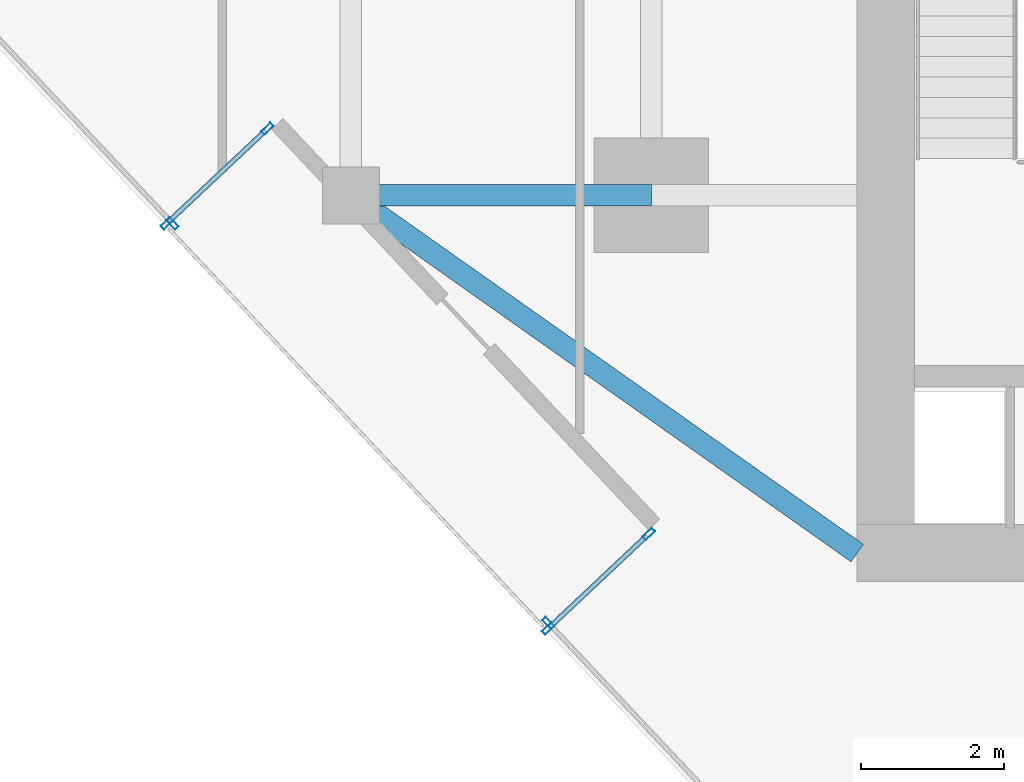
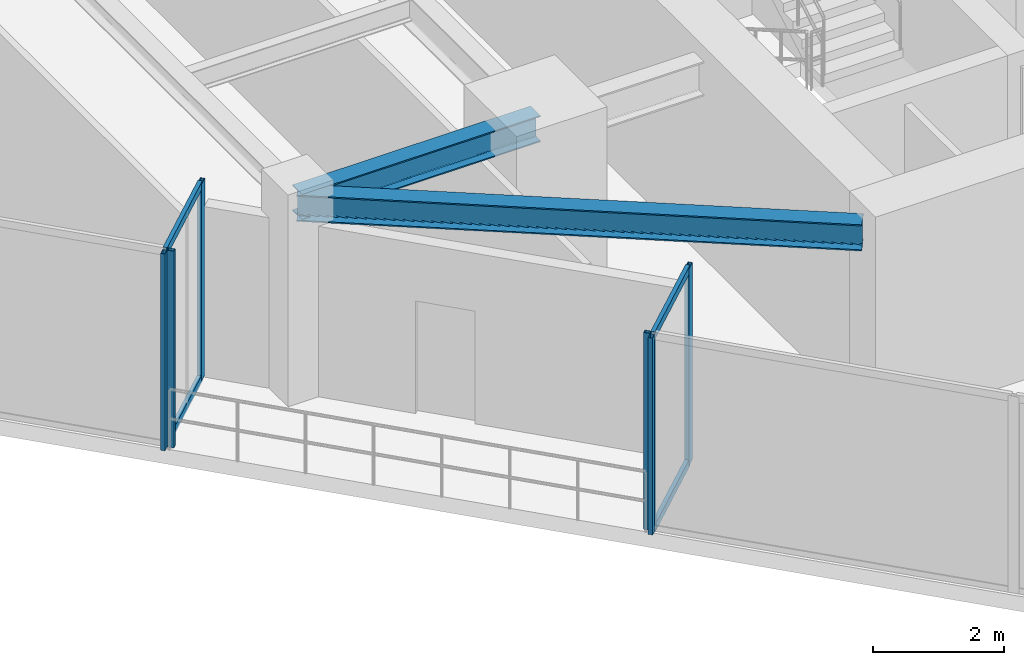
# One storey, part 2 of 24: 10 members, 2 beams, 4 elements without a shape of their own.
"""IFC4 building model written with IfcOpenShell, lengths in metres."""

from ifc_helpers import new_model, si_unit, direction, frame, origin, origin_2d, place, context, subcontext, project, spatial, hollow_rectangle, i_section, extrude, source, transform, mapped, material, material_profile, profile_set, type_object, type_shapes, element, aggregate, save


model = new_model("IFC4")

# Units and contexts
model_context = context("Model", 3, precision=1e-05, world=origin(), true_north=direction((0.0, 1.0)))
body_context = subcontext(model_context, "Body", "Model", "MODEL_VIEW")
ifc_project = project(units=[si_unit("LENGTHUNIT", "METRE"), si_unit("AREAUNIT", "SQUARE_METRE"), si_unit("VOLUMEUNIT", "CUBIC_METRE"), si_unit("PLANEANGLEUNIT", "RADIAN"), si_unit("MASSUNIT", "GRAM", prefix="KILO")], contexts=[model_context])

# Site, building, storey
site_placement = place(None, origin())
site = spatial("IfcSite", under=ifc_project, at=site_placement, CompositionType="ELEMENT")
building_placement = place(site_placement, origin())
building = spatial("IfcBuilding", under=site, at=building_placement, Name="Krantzveldt Concourse Tower", CompositionType="ELEMENT")
storey_placement = place(building_placement, frame((0.0, 0.0, 246.800048828125)))
storey = spatial("IfcBuildingStorey", under=building, at=storey_placement, Name="L60", CompositionType="ELEMENT", Elevation=246.800048828125)

# Beams
ifc_material_1 = material(Name="Steel S355JR", Category="steel")
ifc_material_profile_1 = material_profile(ifc_material_1, i_section(OverallWidth=0.300048828125, OverallDepth=0.489990234375, WebThickness=0.011962890625, FlangeThickness=0.02294921875, FilletRadius=0.027099609375, at=origin_2d()), Name="Steel S355JR", Category="steel")
ifc_profile_set_1 = profile_set([ifc_material_profile_1], Name="Steel S355JR - HEA 500")
beam_type = type_object("IfcBeamType", Name="BM-B-HEA500", PredefinedType="BEAM", material=ifc_profile_set_1)
shared_shape_1 = source(origin(), body_context, "Body", "SweptSolid", [
    extrude(i_section(OverallWidth=0.300048828125, OverallDepth=0.489990234375, WebThickness=0.011962890625, FlangeThickness=0.02294921875, FilletRadius=0.027099609375, at=origin_2d()), origin(), (0.0, 0.0, 1.0), 4.199951171875),
])
beam_1_placement = place(storey_placement, frame((21.0, 15.89990234375, 3.425048828125), z_axis=(1.0, 0.0, 0.0), x_axis=(0.0, 1.0, 0.0)))
element("IfcBeam", 1, at=beam_1_placement, inside=storey, type_object=beam_type, Name="L60 Tower Girder BR-RL1", PredefinedType="BEAM", context=body_context, shape_type="MappedRepresentation", body=[
    mapped(shared_shape_1, transform((0.0, 0.0, 0.0), x_axis=(1.0, 0.0, 0.0), y_axis=(0.0, 1.0, 0.0), z_axis=(0.0, 0.0, 1.0), scale=1.0)),
])
shared_shape_2 = source(origin(), body_context, "Body", "SweptSolid", [
    extrude(i_section(OverallWidth=0.300048828125, OverallDepth=0.489990234375, WebThickness=0.011962890625, FlangeThickness=0.02294921875, FilletRadius=0.027099609375, at=origin_2d()), origin(), (0.0, 0.0, 1.0), 8.667724609375),
])
type_shapes(beam_type, [shared_shape_1, shared_shape_2])
beam_2_placement = place(storey_placement, frame((21.0, 15.89990234375, 3.425048828125), z_axis=(0.81684294656, -0.576860122261, 0.0), x_axis=(0.576860122261, 0.81684294656, 0.0)))
element("IfcBeam", 2, at=beam_2_placement, inside=storey, type_object=beam_type, Name="L60 Tower Girder BR-CSW", PredefinedType="BEAM", context=body_context, shape_type="MappedRepresentation", body=[
    mapped(shared_shape_2, transform((0.0, 0.0, 0.0), x_axis=(1.0, 0.0, 0.0), y_axis=(0.0, 1.0, 0.0), z_axis=(0.0, 0.0, 1.0), scale=1.0)),
])

# Curtain wall, member
ifc_material_2 = material(Name="Anodised aluminium 6063-T6", Category="aluminium")
curtain_wall_type_1 = type_object("IfcCurtainWallType", Name="CW3", PredefinedType="USERDEFINED", material=ifc_material_2)
curtain_wall_1_placement = place(storey_placement, origin())
curtain_wall_1 = element("IfcCurtainWall", 3, at=curtain_wall_1_placement, inside=storey, type_object=curtain_wall_type_1, Name="CW-L60-F04", ObjectType="UNITISED CURTAIN WALL", PredefinedType="USERDEFINED")
ifc_material_profile_2 = material_profile(ifc_material_2, hollow_rectangle(XDim=0.070068359375, YDim=0.179931640625, WallThickness=0.0048828125, at=origin_2d()), Name="Anodised aluminium 6063-T6", Category="aluminium")
ifc_profile_set_2 = profile_set([ifc_material_profile_2], Name="Anodised aluminium 6063-T6 - ALU-MULL 180x70x5")
member_type_1 = type_object("IfcMemberType", Name="CW-MUL-180", PredefinedType="MULLION", material=ifc_profile_set_2)
shared_shape_3 = source(origin(), body_context, "Body", "SweptSolid", [
    extrude(hollow_rectangle(XDim=0.070068359375, YDim=0.179931640625, WallThickness=0.0048828125, at=origin_2d()), origin(), (0.0, 0.0, 1.0), 3.669921875),
])
type_shapes(member_type_1, [shared_shape_3])
member_1_placement = place(storey_placement, frame((18.50634765625, 15.5087890625, 0.0), z_axis=(0.0, 0.0, 1.0), x_axis=(0.728370998021, 0.685182960414, 0.0)))
member_1 = element("IfcMember", 4, at=member_1_placement, type_object=member_type_1, Name="CW-Z34 mullion 3", PredefinedType="MULLION", context=body_context, shape_type="MappedRepresentation", body=[
    mapped(shared_shape_3, transform((0.0, 0.0, 0.0), x_axis=(1.0, 0.0, 0.0), y_axis=(0.0, 1.0, 0.0), z_axis=(0.0, 0.0, 1.0), scale=1.0)),
])
aggregate(curtain_wall_1, [member_1])

# Curtain wall, members
curtain_wall_type_2 = type_object("IfcCurtainWallType", Name="CW6", PredefinedType="USERDEFINED", material=ifc_material_2)
curtain_wall_2_placement = place(storey_placement, origin())
curtain_wall_2 = element("IfcCurtainWall", 5, at=curtain_wall_2_placement, inside=storey, type_object=curtain_wall_type_2, Name="CW-L60-TR05", ObjectType="UNITISED CURTAIN WALL", PredefinedType="USERDEFINED")
member_2_placement = place(storey_placement, frame((18.428466796875, 15.510986328125, 0.0), z_axis=(0.0, 0.0, 1.0), x_axis=(-0.685181887913, 0.728372006928, 0.0)))
member_2 = element("IfcMember", 6, at=member_2_placement, type_object=member_type_1, Name="CW-TERR mullion 1", PredefinedType="MULLION", context=body_context, shape_type="MappedRepresentation", body=[
    mapped(shared_shape_3, transform((0.0, 0.0, 0.0), x_axis=(1.0, 0.0, 0.0), y_axis=(0.0, 1.0, 0.0), z_axis=(0.0, 0.0, 1.0), scale=1.0)),
])
member_3_placement = place(storey_placement, frame((19.834228515625, 16.83349609375, 0.0), z_axis=(0.0, 0.0, 1.0), x_axis=(-0.685181887913, 0.728372006928, 0.0)))
member_3 = element("IfcMember", 7, at=member_3_placement, type_object=member_type_1, Name="CW-TERR mullion 2", PredefinedType="MULLION", context=body_context, shape_type="MappedRepresentation", body=[
    mapped(shared_shape_3, transform((0.0, 0.0, 0.0), x_axis=(1.0, 0.0, 0.0), y_axis=(0.0, 1.0, 0.0), z_axis=(0.0, 0.0, 1.0), scale=1.0)),
])

curtain_wall_3_placement = place(storey_placement, origin())
curtain_wall_3 = element("IfcCurtainWall", 8, at=curtain_wall_3_placement, inside=storey, type_object=curtain_wall_type_2, Name="CW-L60-TR07", ObjectType="UNITISED CURTAIN WALL", PredefinedType="USERDEFINED")
member_4_placement = place(storey_placement, frame((25.1650390625, 11.166748046875, 0.0), z_axis=(0.0, 0.0, 1.0), x_axis=(0.685181887913, -0.728372006928, 0.0)))
member_4 = element("IfcMember", 9, at=member_4_placement, type_object=member_type_1, Name="CW-TERR mullion 1", PredefinedType="MULLION", context=body_context, shape_type="MappedRepresentation", body=[
    mapped(shared_shape_3, transform((0.0, 0.0, 0.0), x_axis=(1.0, 0.0, 0.0), y_axis=(0.0, 1.0, 0.0), z_axis=(0.0, 0.0, 1.0), scale=1.0)),
])
member_5_placement = place(storey_placement, frame((23.75927734375, 9.844482421875, 0.0), z_axis=(0.0, 0.0, 1.0), x_axis=(0.685181887913, -0.728372006928, 0.0)))
member_5 = element("IfcMember", 10, at=member_5_placement, type_object=member_type_1, Name="CW-TERR mullion 2", PredefinedType="MULLION", context=body_context, shape_type="MappedRepresentation", body=[
    mapped(shared_shape_3, transform((0.0, 0.0, 0.0), x_axis=(1.0, 0.0, 0.0), y_axis=(0.0, 1.0, 0.0), z_axis=(0.0, 0.0, 1.0), scale=1.0)),
])

# Curtain wall, member
curtain_wall_4_placement = place(storey_placement, origin())
curtain_wall_4 = element("IfcCurtainWall", 11, at=curtain_wall_4_placement, inside=storey, type_object=curtain_wall_type_1, Name="CW-L60-F08", ObjectType="UNITISED CURTAIN WALL", PredefinedType="USERDEFINED")
member_6_placement = place(storey_placement, frame((23.76171875, 9.922119140625, 0.0), z_axis=(0.0, 0.0, 1.0), x_axis=(0.728370998021, 0.685182960414, 0.0)))
member_6 = element("IfcMember", 12, at=member_6_placement, type_object=member_type_1, Name="CW-Z34 mullion 1", PredefinedType="MULLION", context=body_context, shape_type="MappedRepresentation", body=[
    mapped(shared_shape_3, transform((0.0, 0.0, 0.0), x_axis=(1.0, 0.0, 0.0), y_axis=(0.0, 1.0, 0.0), z_axis=(0.0, 0.0, 1.0), scale=1.0)),
])
aggregate(curtain_wall_4, [member_6])

# Member
ifc_material_profile_3 = material_profile(ifc_material_2, hollow_rectangle(XDim=0.070068359375, YDim=0.139892578125, WallThickness=0.0048828125, at=origin_2d()), Name="Anodised aluminium 6063-T6", Category="aluminium")
ifc_profile_set_3 = profile_set([ifc_material_profile_3], Name="Anodised aluminium 6063-T6 - ALU-TRAN 140x70x5")
member_type_2 = type_object("IfcMemberType", Name="CW-TRN-150", PredefinedType="USERDEFINED", material=ifc_profile_set_3)
shared_shape_4 = source(origin(), body_context, "Body", "SweptSolid", [
    extrude(hollow_rectangle(XDim=0.070068359375, YDim=0.139892578125, WallThickness=0.0048828125, at=origin_2d()), origin(), (0.0, 0.0, 1.0), 1.85986328125),
])
type_shapes(member_type_2, [shared_shape_4])
member_7_placement = place(storey_placement, frame((18.4541015625, 15.53515625, 0.034912109375), z_axis=(0.728369526423, 0.685184524766, 0.0), x_axis=(-0.685184524766, 0.728369526423, 0.0)))
member_7 = element("IfcMember", 13, at=member_7_placement, type_object=member_type_2, Name="CW-TERR transom 1.1", ObjectType="TRANSOM", PredefinedType="USERDEFINED", context=body_context, shape_type="MappedRepresentation", body=[
    mapped(shared_shape_4, transform((0.0, 0.0, 0.0), x_axis=(1.0, 0.0, 0.0), y_axis=(0.0, 1.0, 0.0), z_axis=(0.0, 0.0, 1.0), scale=1.0)),
])

member_8_placement = place(storey_placement, frame((18.4541015625, 15.53515625, 3.635009765625), z_axis=(0.728369526423, 0.685184524766, 0.0), x_axis=(-0.685184524766, 0.728369526423, 0.0)))
member_8 = element("IfcMember", 14, at=member_8_placement, type_object=member_type_2, Name="CW-TERR transom 1.2", ObjectType="TRANSOM", PredefinedType="USERDEFINED", context=body_context, shape_type="MappedRepresentation", body=[
    mapped(shared_shape_4, transform((0.0, 0.0, 0.0), x_axis=(1.0, 0.0, 0.0), y_axis=(0.0, 1.0, 0.0), z_axis=(0.0, 0.0, 1.0), scale=1.0)),
])

aggregate(curtain_wall_2, [member_2, member_3, member_7, member_8])

member_9_placement = place(storey_placement, frame((25.139404296875, 11.142822265625, 0.034912109375), z_axis=(-0.728369526423, -0.685184524766, 0.0), x_axis=(0.685184524766, -0.728369526423, 0.0)))
member_9 = element("IfcMember", 15, at=member_9_placement, type_object=member_type_2, Name="CW-TERR transom 1.1", ObjectType="TRANSOM", PredefinedType="USERDEFINED", context=body_context, shape_type="MappedRepresentation", body=[
    mapped(shared_shape_4, transform((0.0, 0.0, 0.0), x_axis=(1.0, 0.0, 0.0), y_axis=(0.0, 1.0, 0.0), z_axis=(0.0, 0.0, 1.0), scale=1.0)),
])

member_10_placement = place(storey_placement, frame((25.139404296875, 11.142822265625, 3.635009765625), z_axis=(-0.728369526423, -0.685184524766, 0.0), x_axis=(0.685184524766, -0.728369526423, 0.0)))
member_10 = element("IfcMember", 16, at=member_10_placement, type_object=member_type_2, Name="CW-TERR transom 1.2", ObjectType="TRANSOM", PredefinedType="USERDEFINED", context=body_context, shape_type="MappedRepresentation", body=[
    mapped(shared_shape_4, transform((0.0, 0.0, 0.0), x_axis=(1.0, 0.0, 0.0), y_axis=(0.0, 1.0, 0.0), z_axis=(0.0, 0.0, 1.0), scale=1.0)),
])

aggregate(curtain_wall_3, [member_4, member_5, member_9, member_10])

save(model, "model.ifc")
